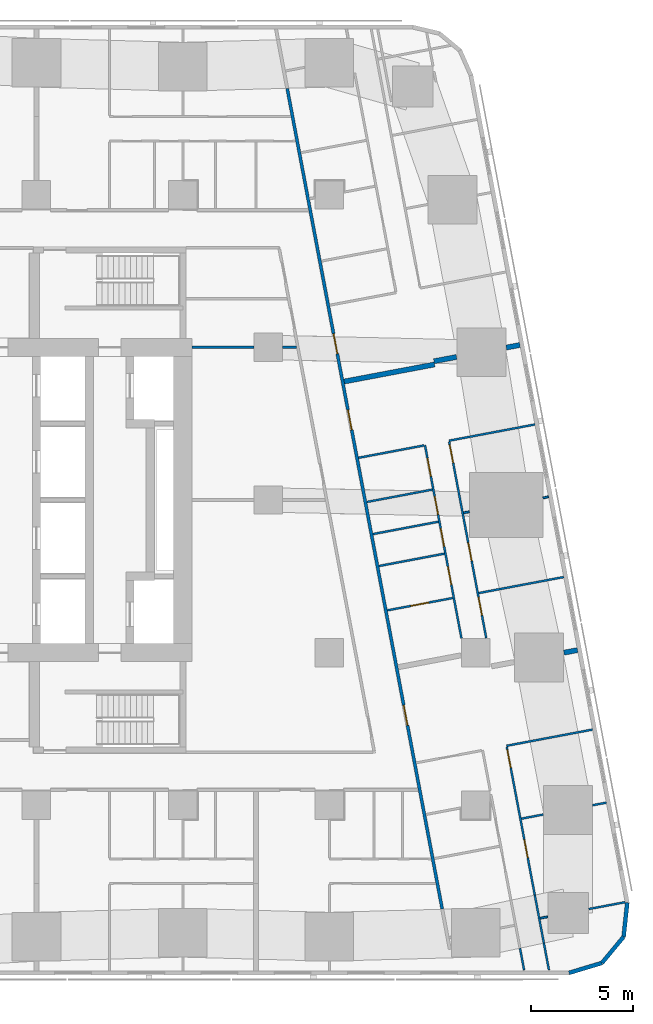
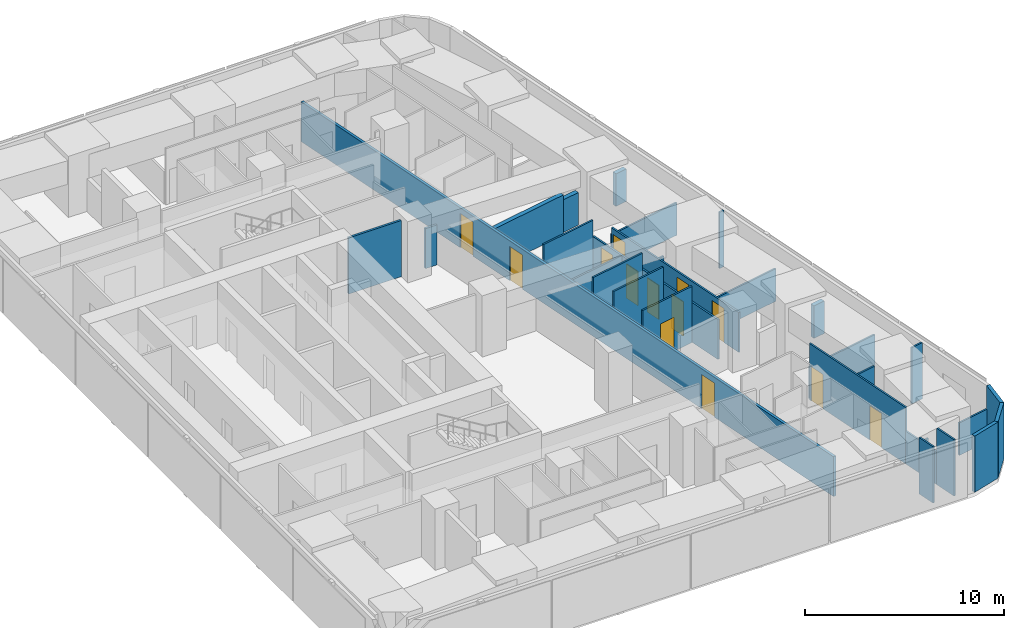
# One storey, part 5 of 10: 30 walls, 13 doors, 13 openings.
"""IFC4 building model written with IfcOpenShell, lengths in metres."""

from ifc_helpers import new_model, si_unit, direction, frame, frame_2d, origin, place, context, subcontext, project, spatial, rectangle, extrude, material, layer, layer_set, type_object, element, fill, save


model = new_model("IFC4")

# Units and contexts
model_context = context("Model", 3, precision=1e-05, world=origin(), true_north=direction((0.0, 1.0)))
body_context = subcontext(model_context, "Body", "Model", "MODEL_VIEW")
ifc_project = project(units=[si_unit("LENGTHUNIT", "METRE"), si_unit("AREAUNIT", "SQUARE_METRE"), si_unit("VOLUMEUNIT", "CUBIC_METRE"), si_unit("PLANEANGLEUNIT", "RADIAN"), si_unit("MASSUNIT", "GRAM", prefix="KILO")], contexts=[model_context])

# Site, building, storey
site_placement = place(None, origin())
site = spatial("IfcSite", under=ifc_project, at=site_placement, CompositionType="ELEMENT")
building_placement = place(site_placement, origin())
building = spatial("IfcBuilding", under=site, at=building_placement, Name="Sheger Commons Tower", CompositionType="ELEMENT")
storey_placement = place(building_placement, frame((0.0, 0.0, 242.449951171875)))
storey = spatial("IfcBuildingStorey", under=building, at=storey_placement, Name="L62", CompositionType="ELEMENT", Elevation=242.449951171875)

# Wall, openings, doors
ifc_material_1 = material(Name="Hollow concrete block masonry, skimmed both sides", Category="masonry")
ifc_layer_1 = layer(ifc_material_1, 0.14990234375)
ifc_layer_set_1 = layer_set([ifc_layer_1], Name="CORRIDOR WALL 150")
wall_type_1 = type_object("IfcWallType", Name="CORRIDOR WALL 150", PredefinedType="SOLIDWALL", material=ifc_layer_set_1)
wall_1_placement = place(storey_placement, frame((33.93310546875, 42.72998046875, 0.0), z_axis=(0.0, 0.0, 1.0), x_axis=(0.185595417643, -0.982626246825, 0.0)))
wall_1 = element("IfcWall", 1, at=wall_1_placement, inside=storey, type_object=wall_type_1, Name="Corridor wall L62", PredefinedType="SOLIDWALL", context=body_context, shape_type="SweptSolid", body=[
    extrude(rectangle(XDim=41.051025390625, YDim=0.14990234375, at=frame_2d((20.525390625, 0.0))), origin(), (0.0, 0.0, 1.0), 2.449951171875),
])
opening_1_placement = place(wall_1_placement, frame((12.26611328125, 0.0, 0.0)))
opening_1 = element("IfcOpeningElement", 2, at=opening_1_placement, cuts=wall_1, Name="Opening D1", PredefinedType="OPENING", context=body_context, shape_type="SweptSolid", body=[
    extrude(rectangle(XDim=1.0, YDim=2.10009765625, at=frame_2d((0.5, 1.050048828125))), frame((0.0, 0.0849609375, 0.0), z_axis=(0.0, -1.0, 0.0), x_axis=(1.0, 0.0, 0.0)), (0.0, 0.0, 1.0), 0.169921875),
])
opening_2_placement = place(wall_1_placement, frame((16.08203125, 0.0, 0.0)))
opening_2 = element("IfcOpeningElement", 3, at=opening_2_placement, cuts=wall_1, Name="Opening D1", PredefinedType="OPENING", context=body_context, shape_type="SweptSolid", body=[
    extrude(rectangle(XDim=1.0, YDim=2.10009765625, at=frame_2d((0.5, 1.050048828125))), frame((0.0, 0.0849609375, 0.0), z_axis=(0.0, -1.0, 0.0), x_axis=(1.0, 0.0, 0.0)), (0.0, 0.0, 1.0), 0.169921875),
])
opening_3_placement = place(wall_1_placement, frame((30.862060546875, 0.0, 0.0)))
opening_3 = element("IfcOpeningElement", 4, at=opening_3_placement, cuts=wall_1, Name="Opening D1", PredefinedType="OPENING", context=body_context, shape_type="SweptSolid", body=[
    extrude(rectangle(XDim=1.0, YDim=2.10009765625, at=frame_2d((0.5, 1.050048828125))), frame((0.0, 0.0849609375, 0.0), z_axis=(0.0, -1.0, 0.0), x_axis=(1.0, 0.0, 0.0)), (0.0, 0.0, 1.0), 0.169921875),
])
ifc_material_2 = material(Name="Steel door set, fire rated", Category="steel")
door_type_1 = type_object("IfcDoorType", Name="FLAT ENTRANCE DOOR 1000x2100", OperationType="NOTDEFINED", PredefinedType="DOOR", material=ifc_material_2)
door_1_placement = place(opening_1_placement, origin())
door_1 = element("IfcDoor", 5, at=door_1_placement, inside=storey, type_object=door_type_1, Name="Flat entrance door", OperationType="SINGLE_SWING_LEFT", OverallHeight=2.10009765625, OverallWidth=1.0, PredefinedType="DOOR", context=body_context, shape_type="SweptSolid", body=[
    extrude(rectangle(XDim=1.0, YDim=2.10009765625, at=frame_2d((0.5, 1.050048828125))), frame((0.0, 0.02490234375, 0.0), z_axis=(0.0, -1.0, 0.0), x_axis=(1.0, 0.0, 0.0)), (0.0, 0.0, 1.0), 0.050048828125),
])
fill(opening_1, door_1)
door_2_placement = place(opening_2_placement, origin())
door_2 = element("IfcDoor", 6, at=door_2_placement, inside=storey, type_object=door_type_1, Name="Flat entrance door", OperationType="SINGLE_SWING_RIGHT", OverallHeight=2.10009765625, OverallWidth=1.0, PredefinedType="DOOR", context=body_context, shape_type="SweptSolid", body=[
    extrude(rectangle(XDim=1.0, YDim=2.10009765625, at=frame_2d((0.5, 1.050048828125))), frame((0.0, 0.02490234375, 0.0), z_axis=(0.0, -1.0, 0.0), x_axis=(1.0, 0.0, 0.0)), (0.0, 0.0, 1.0), 0.050048828125),
])
fill(opening_2, door_2)
door_3_placement = place(opening_3_placement, origin())
door_3 = element("IfcDoor", 7, at=door_3_placement, inside=storey, type_object=door_type_1, Name="Flat entrance door", OperationType="SINGLE_SWING_LEFT", OverallHeight=2.10009765625, OverallWidth=1.0, PredefinedType="DOOR", context=body_context, shape_type="SweptSolid", body=[
    extrude(rectangle(XDim=1.0, YDim=2.10009765625, at=frame_2d((0.5, 1.050048828125))), frame((0.0, 0.02490234375, 0.0), z_axis=(0.0, -1.0, 0.0), x_axis=(1.0, 0.0, 0.0)), (0.0, 0.0, 1.0), 0.050048828125),
])
fill(opening_3, door_3)

# Walls
ifc_material_3 = material(Name="Dense concrete block masonry, plastered both sides (separating wall between flats)", Category="masonry")
ifc_layer_2 = layer(ifc_material_3, 0.25)
ifc_layer_set_2 = layer_set([ifc_layer_2], Name="DEMISING WALL 250")
wall_type_2 = type_object("IfcWallType", Name="DEMISING WALL 250", PredefinedType="SOLIDWALL", material=ifc_layer_set_2)
wall_2_placement = place(storey_placement, frame((45.3720703125, 30.12109375, 0.0), z_axis=(0.0, 0.0, 1.0), x_axis=(-0.982347993061, -0.187062611252, 0.0)))
element("IfcWall", 8, at=wall_2_placement, inside=storey, type_object=wall_type_2, Name="Demising wall L62", PredefinedType="SOLIDWALL", context=body_context, shape_type="SweptSolid", body=[
    extrude(rectangle(XDim=0.679931640625, YDim=0.25, at=frame_2d((0.33984375, 0.0))), origin(), (0.0, 0.0, 1.0), 2.0),
])
wall_3_placement = place(storey_placement, frame((42.256103515625, 29.531982421875, 0.0), z_axis=(0.0, 0.0, 1.0), x_axis=(-0.982549954272, -0.185998890749, 0.0)))
element("IfcWall", 9, at=wall_3_placement, inside=storey, type_object=wall_type_2, Name="Demising wall L62", PredefinedType="SOLIDWALL", context=body_context, shape_type="SweptSolid", body=[
    extrude(rectangle(XDim=1.12890625, YDim=0.25, at=frame_2d((0.564453125, 0.0))), origin(), (0.0, 0.0, 1.0), 2.0),
])
wall_4_placement = place(storey_placement, frame((41.177001953125, 29.1640625, 0.0), z_axis=(0.0, 0.0, 1.0), x_axis=(-0.982612837616, -0.185666398014, 0.0)))
element("IfcWall", 10, at=wall_4_placement, inside=storey, type_object=wall_type_2, Name="Demising wall L62", PredefinedType="SOLIDWALL", context=body_context, shape_type="SweptSolid", body=[
    extrude(rectangle(XDim=4.524658203125, YDim=0.25, at=frame_2d((2.26220703125, 0.0))), origin(), (0.0, 0.0, 1.0), 2.449951171875),
])
wall_5_placement = place(storey_placement, frame((48.2060546875, 15.1201171875, 0.0), z_axis=(0.0, 0.0, 1.0), x_axis=(-0.982610999048, -0.18567612811, 0.0)))
element("IfcWall", 11, at=wall_5_placement, inside=storey, type_object=wall_type_2, Name="Demising wall L62", PredefinedType="SOLIDWALL", context=body_context, shape_type="SweptSolid", body=[
    extrude(rectangle(XDim=0.6796875, YDim=0.25, at=frame_2d((0.33984375, 0.0))), origin(), (0.0, 0.0, 1.0), 2.0),
])
ifc_material_4 = material(Name="Rendered concrete block masonry, dark grey", Category="masonry")
ifc_layer_3 = layer(ifc_material_4, 0.199951171875)
ifc_layer_set_3 = layer_set([ifc_layer_3], Name="FACADE WALL 200")
wall_type_3 = type_object("IfcWallType", Name="FACADE WALL 200", PredefinedType="SOLIDWALL", material=ifc_layer_set_3)
wall_6_placement = place(storey_placement, frame((47.791015625, -0.75, 0.0), z_axis=(0.0, 0.0, 1.0), x_axis=(0.957455232626, 0.288581838509, 0.0)))
element("IfcWall", 12, at=wall_6_placement, inside=storey, type_object=wall_type_3, Name="Facade wall L62", PredefinedType="SOLIDWALL", context=body_context, shape_type="SweptSolid", body=[
    extrude(rectangle(XDim=1.687744140625, YDim=0.199951171875, at=frame_2d((0.84375, 0.0))), origin(), (0.0, 0.0, 1.0), 3.449951171875),
])
wall_7_placement = place(storey_placement, frame((49.406982421875, -0.262939453125, 0.0), z_axis=(0.0, 0.0, 1.0), x_axis=(0.638042593423, 0.770001070764, 0.0)))
element("IfcWall", 13, at=wall_7_placement, inside=storey, type_object=wall_type_3, Name="Facade wall L62", PredefinedType="SOLIDWALL", context=body_context, shape_type="SweptSolid", body=[
    extrude(rectangle(XDim=1.672607421875, YDim=0.199951171875, at=frame_2d((0.83642578125, 0.0))), origin(), (0.0, 0.0, 1.0), 3.449951171875),
])
wall_8_placement = place(storey_placement, frame((50.47412109375, 1.02490234375, 0.0), z_axis=(0.0, 0.0, 1.0), x_axis=(0.106047815515, 0.994361031429, 0.0)))
element("IfcWall", 14, at=wall_8_placement, inside=storey, type_object=wall_type_3, Name="Facade wall L62", PredefinedType="SOLIDWALL", context=body_context, shape_type="SweptSolid", body=[
    extrude(rectangle(XDim=1.6875, YDim=0.199951171875, at=frame_2d((0.84375, 0.0))), origin(), (0.0, 0.0, 1.0), 3.449951171875),
])

# Wall, openings, doors
ifc_material_5 = material(Name="Gypsum board on steel studs", Category="steel")
ifc_layer_4 = layer(ifc_material_5, 0.10009765625)
ifc_layer_set_4 = layer_set([ifc_layer_4], Name="PARTITION 100")
wall_type_4 = type_object("IfcWallType", Name="PARTITION 100", PredefinedType="PARTITIONING", material=ifc_layer_set_4)
wall_9_placement = place(storey_placement, frame((41.89404296875, 25.365966796875, 0.0), z_axis=(0.0, 0.0, 1.0), x_axis=(0.185612905165, -0.982622943675, 0.0)))
wall_9 = element("IfcWall", 15, at=wall_9_placement, inside=storey, type_object=wall_type_4, Name="Partition L62", PredefinedType="PARTITIONING", context=body_context, shape_type="SweptSolid", body=[
    extrude(rectangle(XDim=9.82666015625, YDim=0.10009765625, at=frame_2d((4.913330078125, 0.0))), origin(), (0.0, 0.0, 1.0), 2.449951171875),
])
opening_4_placement = place(wall_9_placement, frame((0.15087890625, 0.0, 0.0)))
opening_4 = element("IfcOpeningElement", 16, at=opening_4_placement, cuts=wall_9, Name="Opening D2", PredefinedType="OPENING", context=body_context, shape_type="SweptSolid", body=[
    extrude(rectangle(XDim=0.89990234375, YDim=2.10009765625, at=frame_2d((0.449951171875, 1.050048828125))), frame((0.0, 0.06005859375, 0.0), z_axis=(0.0, -1.0, 0.0), x_axis=(1.0, 0.0, 0.0)), (0.0, 0.0, 1.0), 0.1201171875),
])
opening_5_placement = place(wall_9_placement, frame((5.050048828125, 0.0, 0.0)))
opening_5 = element("IfcOpeningElement", 17, at=opening_5_placement, cuts=wall_9, Name="Opening D2", PredefinedType="OPENING", context=body_context, shape_type="SweptSolid", body=[
    extrude(rectangle(XDim=0.89990234375, YDim=2.10009765625, at=frame_2d((0.449951171875, 1.050048828125))), frame((0.0, 0.06005859375, 0.0), z_axis=(0.0, -1.0, 0.0), x_axis=(1.0, 0.0, 0.0)), (0.0, 0.0, 1.0), 0.1201171875),
])
opening_6_placement = place(wall_9_placement, frame((7.782958984375, 0.0, 0.0)))
opening_6 = element("IfcOpeningElement", 18, at=opening_6_placement, cuts=wall_9, Name="Opening D2", PredefinedType="OPENING", context=body_context, shape_type="SweptSolid", body=[
    extrude(rectangle(XDim=0.89990234375, YDim=2.10009765625, at=frame_2d((0.449951171875, 1.050048828125))), frame((0.0, 0.06005859375, 0.0), z_axis=(0.0, -1.0, 0.0), x_axis=(1.0, 0.0, 0.0)), (0.0, 0.0, 1.0), 0.1201171875),
])
ifc_material_6 = material(Name="Timber door set", Category="wood")
door_type_2 = type_object("IfcDoorType", Name="INTERNAL DOOR 900x2100", OperationType="NOTDEFINED", PredefinedType="DOOR", material=ifc_material_6)
door_4_placement = place(opening_4_placement, origin())
door_4 = element("IfcDoor", 19, at=door_4_placement, inside=storey, type_object=door_type_2, Name="Main bedroom door", OperationType="SINGLE_SWING_LEFT", OverallHeight=2.10009765625, OverallWidth=0.89990234375, PredefinedType="DOOR", context=body_context, shape_type="SweptSolid", body=[
    extrude(rectangle(XDim=0.89990234375, YDim=2.10009765625, at=frame_2d((0.449951171875, 1.050048828125))), frame((0.0, 0.02490234375, 0.0), z_axis=(0.0, -1.0, 0.0), x_axis=(1.0, 0.0, 0.0)), (0.0, 0.0, 1.0), 0.050048828125),
])
fill(opening_4, door_4)
door_5_placement = place(opening_5_placement, origin())
door_5 = element("IfcDoor", 20, at=door_5_placement, inside=storey, type_object=door_type_2, Name="Bedroom 2 door", OperationType="SINGLE_SWING_LEFT", OverallHeight=2.10009765625, OverallWidth=0.89990234375, PredefinedType="DOOR", context=body_context, shape_type="SweptSolid", body=[
    extrude(rectangle(XDim=0.89990234375, YDim=2.10009765625, at=frame_2d((0.449951171875, 1.050048828125))), frame((0.0, 0.02490234375, 0.0), z_axis=(0.0, -1.0, 0.0), x_axis=(1.0, 0.0, 0.0)), (0.0, 0.0, 1.0), 0.050048828125),
])
fill(opening_5, door_5)
door_6_placement = place(opening_6_placement, origin())
door_6 = element("IfcDoor", 21, at=door_6_placement, inside=storey, type_object=door_type_2, Name="Bedroom 3 door", OperationType="SINGLE_SWING_LEFT", OverallHeight=2.10009765625, OverallWidth=0.89990234375, PredefinedType="DOOR", context=body_context, shape_type="SweptSolid", body=[
    extrude(rectangle(XDim=0.89990234375, YDim=2.10009765625, at=frame_2d((0.449951171875, 1.050048828125))), frame((0.0, 0.02490234375, 0.0), z_axis=(0.0, -1.0, 0.0), x_axis=(1.0, 0.0, 0.0)), (0.0, 0.0, 1.0), 0.050048828125),
])
fill(opening_6, door_6)

wall_10_placement = place(storey_placement, frame((40.7060546875, 25.19189453125, 0.0), z_axis=(0.0, 0.0, 1.0), x_axis=(0.185629824463, -0.982619747547, 0.0)))
wall_10 = element("IfcWall", 22, at=wall_10_placement, inside=storey, type_object=wall_type_4, Name="Partition L62", PredefinedType="PARTITIONING", context=body_context, shape_type="SweptSolid", body=[
    extrude(rectangle(XDim=9.658935546875, YDim=0.10009765625, at=frame_2d((4.82958984375, 0.0))), origin(), (0.0, 0.0, 1.0), 2.449951171875),
])
opening_7_placement = place(wall_10_placement, frame((0.655029296875, 0.0, 0.0)))
opening_7 = element("IfcOpeningElement", 23, at=opening_7_placement, cuts=wall_10, Name="Opening D2", PredefinedType="OPENING", context=body_context, shape_type="SweptSolid", body=[
    extrude(rectangle(XDim=0.89990234375, YDim=2.10009765625, at=frame_2d((0.449951171875, 1.050048828125))), frame((0.0, 0.06005859375, 0.0), z_axis=(0.0, -1.0, 0.0), x_axis=(1.0, 0.0, 0.0)), (0.0, 0.0, 1.0), 0.1201171875),
])
opening_8_placement = place(wall_10_placement, frame((4.166015625, 0.0, 0.0)))
opening_8 = element("IfcOpeningElement", 24, at=opening_8_placement, cuts=wall_10, Name="Opening D2", PredefinedType="OPENING", context=body_context, shape_type="SweptSolid", body=[
    extrude(rectangle(XDim=0.89990234375, YDim=2.10009765625, at=frame_2d((0.449951171875, 1.050048828125))), frame((0.0, 0.06005859375, 0.0), z_axis=(0.0, -1.0, 0.0), x_axis=(1.0, 0.0, 0.0)), (0.0, 0.0, 1.0), 0.1201171875),
])
opening_9_placement = place(wall_10_placement, frame((2.56298828125, 0.0, 0.0)))
opening_9 = element("IfcOpeningElement", 25, at=opening_9_placement, cuts=wall_10, Name="Opening D2", PredefinedType="OPENING", context=body_context, shape_type="SweptSolid", body=[
    extrude(rectangle(XDim=0.89990234375, YDim=2.10009765625, at=frame_2d((0.449951171875, 1.050048828125))), frame((0.0, 0.06005859375, 0.0), z_axis=(0.0, -1.0, 0.0), x_axis=(1.0, 0.0, 0.0)), (0.0, 0.0, 1.0), 0.1201171875),
])
opening_10_placement = place(wall_10_placement, frame((6.073974609375, 0.0, 0.0)))
opening_10 = element("IfcOpeningElement", 26, at=opening_10_placement, cuts=wall_10, Name="Opening D2", PredefinedType="OPENING", context=body_context, shape_type="SweptSolid", body=[
    extrude(rectangle(XDim=0.89990234375, YDim=2.10009765625, at=frame_2d((0.449951171875, 1.050048828125))), frame((0.0, 0.06005859375, 0.0), z_axis=(0.0, -1.0, 0.0), x_axis=(1.0, 0.0, 0.0)), (0.0, 0.0, 1.0), 0.1201171875),
])
door_7_placement = place(opening_7_placement, origin())
door_7 = element("IfcDoor", 27, at=door_7_placement, inside=storey, type_object=door_type_2, Name="Bathroom door", OperationType="SINGLE_SWING_RIGHT", OverallHeight=2.10009765625, OverallWidth=0.89990234375, PredefinedType="DOOR", context=body_context, shape_type="SweptSolid", body=[
    extrude(rectangle(XDim=0.89990234375, YDim=2.10009765625, at=frame_2d((0.449951171875, 1.050048828125))), frame((0.0, 0.02490234375, 0.0), z_axis=(0.0, -1.0, 0.0), x_axis=(1.0, 0.0, 0.0)), (0.0, 0.0, 1.0), 0.050048828125),
])
fill(opening_7, door_7)
door_8_placement = place(opening_8_placement, origin())
door_8 = element("IfcDoor", 28, at=door_8_placement, inside=storey, type_object=door_type_2, Name="Shower room door", OperationType="SINGLE_SWING_RIGHT", OverallHeight=2.10009765625, OverallWidth=0.89990234375, PredefinedType="DOOR", context=body_context, shape_type="SweptSolid", body=[
    extrude(rectangle(XDim=0.89990234375, YDim=2.10009765625, at=frame_2d((0.449951171875, 1.050048828125))), frame((0.0, 0.02490234375, 0.0), z_axis=(0.0, -1.0, 0.0), x_axis=(1.0, 0.0, 0.0)), (0.0, 0.0, 1.0), 0.050048828125),
])
fill(opening_8, door_8)
door_9_placement = place(opening_9_placement, origin())
door_9 = element("IfcDoor", 29, at=door_9_placement, inside=storey, type_object=door_type_2, Name="Store door", OperationType="SINGLE_SWING_RIGHT", OverallHeight=2.10009765625, OverallWidth=0.89990234375, PredefinedType="DOOR", context=body_context, shape_type="SweptSolid", body=[
    extrude(rectangle(XDim=0.89990234375, YDim=2.10009765625, at=frame_2d((0.449951171875, 1.050048828125))), frame((0.0, 0.02490234375, 0.0), z_axis=(0.0, -1.0, 0.0), x_axis=(1.0, 0.0, 0.0)), (0.0, 0.0, 1.0), 0.050048828125),
])
fill(opening_9, door_9)
door_10_placement = place(opening_10_placement, origin())
door_10 = element("IfcDoor", 30, at=door_10_placement, inside=storey, type_object=door_type_2, Name="Store door", OperationType="SINGLE_SWING_LEFT", OverallHeight=2.10009765625, OverallWidth=0.89990234375, PredefinedType="DOOR", context=body_context, shape_type="SweptSolid", body=[
    extrude(rectangle(XDim=0.89990234375, YDim=2.10009765625, at=frame_2d((0.449951171875, 1.050048828125))), frame((0.0, 0.02490234375, 0.0), z_axis=(0.0, -1.0, 0.0), x_axis=(1.0, 0.0, 0.0)), (0.0, 0.0, 1.0), 0.050048828125),
])
fill(opening_10, door_10)

# Walls
wall_11_placement = place(storey_placement, frame((46.110107421875, 26.212890625, 0.0), z_axis=(0.0, 0.0, 1.0), x_axis=(-0.982633535512, -0.185556823879, 0.0)))
element("IfcWall", 31, at=wall_11_placement, inside=storey, type_object=wall_type_4, Name="Partition L62", PredefinedType="PARTITIONING", context=body_context, shape_type="SweptSolid", body=[
    extrude(rectangle(XDim=4.2998046875, YDim=0.10009765625, at=frame_2d((2.14990234375, 0.0))), origin(), (0.0, 0.0, 1.0), 2.0),
])
wall_12_placement = place(storey_placement, frame((46.781982421875, 22.656982421875, 0.0), z_axis=(0.0, 0.0, 1.0), x_axis=(-0.982574553168, -0.185868898601, 0.0)))
element("IfcWall", 32, at=wall_12_placement, inside=storey, type_object=wall_type_4, Name="Partition L62", PredefinedType="PARTITIONING", context=body_context, shape_type="SweptSolid", body=[
    extrude(rectangle(XDim=0.27978515625, YDim=0.10009765625, at=frame_2d((0.139892578125, 0.0))), origin(), (0.0, 0.0, 1.0), 3.449951171875),
])
wall_13_placement = place(storey_placement, frame((42.886962890625, 21.9208984375, 0.0), z_axis=(0.0, 0.0, 1.0), x_axis=(-0.982688058078, -0.185267861514, 0.0)))
element("IfcWall", 33, at=wall_13_placement, inside=storey, type_object=wall_type_4, Name="Partition L62", PredefinedType="PARTITIONING", context=body_context, shape_type="SweptSolid", body=[
    extrude(rectangle(XDim=0.285888671875, YDim=0.10009765625, at=frame_2d((0.14306640625, 0.0))), origin(), (0.0, 0.0, 1.0), 2.449951171875),
])
wall_14_placement = place(storey_placement, frame((47.527099609375, 18.7119140625, 0.0), z_axis=(0.0, 0.0, 1.0), x_axis=(-0.982665405803, -0.185387972203, 0.0)))
element("IfcWall", 34, at=wall_14_placement, inside=storey, type_object=wall_type_4, Name="Partition L62", PredefinedType="PARTITIONING", context=body_context, shape_type="SweptSolid", body=[
    extrude(rectangle(XDim=4.249755859375, YDim=0.10009765625, at=frame_2d((2.125, 0.0))), origin(), (0.0, 0.0, 1.0), 2.0),
])
for number, where, z_axis, x_axis, name in (
    (35, (40.656982421875, 25.18310546875, 0.0), (0.0, 0.0, 1.0), (-0.982607026909, -0.185697147715, 0.0), "Partition L62"),
    (36, (41.364990234375, 21.43310546875, 0.0), (0.0, 0.0, 1.0), (-0.982607026909, -0.185697147715, 0.0), "Partition L62"),
):
    element("IfcWall", number, at=place(storey_placement, frame(where, z_axis=z_axis, x_axis=x_axis)), inside=storey, type_object=wall_type_4, Name=name, PredefinedType="PARTITIONING", context=body_context, shape_type="SweptSolid", body=[
        extrude(rectangle(XDim=3.27490234375, YDim=0.10009765625, at=frame_2d((1.637451171875, 0.0))), origin(), (0.0, 0.0, 1.0), 3.449951171875),
    ])

# Wall, opening, door
wall_15_placement = place(storey_placement, frame((42.072998046875, 17.681884765625, 0.0), z_axis=(0.0, 0.0, 1.0), x_axis=(-0.982620626894, -0.185625169636, 0.0)))
wall_15 = element("IfcWall", 37, at=wall_15_placement, inside=storey, type_object=wall_type_4, Name="Partition L62", PredefinedType="PARTITIONING", context=body_context, shape_type="SweptSolid", body=[
    extrude(rectangle(XDim=3.27490234375, YDim=0.10009765625, at=frame_2d((1.637451171875, 0.0))), origin(), (0.0, 0.0, 1.0), 3.449951171875),
])
opening_11_placement = place(wall_15_placement, frame((1.199951171875, 0.0, 0.0)))
opening_11 = element("IfcOpeningElement", 38, at=opening_11_placement, cuts=wall_15, Name="Opening D2", PredefinedType="OPENING", context=body_context, shape_type="SweptSolid", body=[
    extrude(rectangle(XDim=0.89990234375, YDim=2.10009765625, at=frame_2d((0.449951171875, 1.050048828125))), frame((0.0, 0.06005859375, 0.0), z_axis=(0.0, -1.0, 0.0), x_axis=(1.0, 0.0, 0.0)), (0.0, 0.0, 1.0), 0.1201171875),
])
door_11_placement = place(opening_11_placement, origin())
door_11 = element("IfcDoor", 39, at=door_11_placement, inside=storey, type_object=door_type_2, Name="Store door", OperationType="SINGLE_SWING_RIGHT", OverallHeight=2.10009765625, OverallWidth=0.89990234375, PredefinedType="DOOR", context=body_context, shape_type="SweptSolid", body=[
    extrude(rectangle(XDim=0.89990234375, YDim=2.10009765625, at=frame_2d((0.449951171875, 1.050048828125))), frame((0.0, 0.02490234375, 0.0), z_axis=(0.0, -1.0, 0.0), x_axis=(1.0, 0.0, 0.0)), (0.0, 0.0, 1.0), 0.050048828125),
])
fill(opening_11, door_11)

# Walls
wall_16_placement = place(storey_placement, frame((41.06689453125, 23.010986328125, 0.0), z_axis=(0.0, 0.0, 1.0), x_axis=(-0.982618057925, -0.185638768151, 0.0)))
element("IfcWall", 40, at=wall_16_placement, inside=storey, type_object=wall_type_4, Name="Partition L62", PredefinedType="PARTITIONING", context=body_context, shape_type="SweptSolid", body=[
    extrude(rectangle(XDim=3.274658203125, YDim=0.10009765625, at=frame_2d((1.63720703125, 0.0))), origin(), (0.0, 0.0, 1.0), 2.449951171875),
])
wall_17_placement = place(storey_placement, frame((41.662109375, 19.861083984375, 0.0), z_axis=(0.0, 0.0, 1.0), x_axis=(-0.982607026909, -0.185697147715, 0.0)))
element("IfcWall", 41, at=wall_17_placement, inside=storey, type_object=wall_type_4, Name="Partition L62", PredefinedType="PARTITIONING", context=body_context, shape_type="SweptSolid", body=[
    extrude(rectangle(XDim=3.27490234375, YDim=0.10009765625, at=frame_2d((1.637451171875, 0.0))), origin(), (0.0, 0.0, 1.0), 3.449951171875),
])

# Wall, openings, doors
wall_18_placement = place(storey_placement, frame((44.72705078125, 10.365966796875, 0.0), z_axis=(0.0, 0.0, 1.0), x_axis=(0.185678775129, -0.982610498858, 0.0)))
wall_18 = element("IfcWall", 42, at=wall_18_placement, inside=storey, type_object=wall_type_4, Name="Partition L62", PredefinedType="PARTITIONING", context=body_context, shape_type="SweptSolid", body=[
    extrude(rectangle(XDim=7.421142578125, YDim=0.10009765625, at=frame_2d((3.71044921875, 0.0))), origin(), (0.0, 0.0, 1.0), 3.449951171875),
])
opening_12_placement = place(wall_18_placement, frame((0.15087890625, 0.0, 0.0)))
opening_12 = element("IfcOpeningElement", 43, at=opening_12_placement, cuts=wall_18, Name="Opening D2", PredefinedType="OPENING", context=body_context, shape_type="SweptSolid", body=[
    extrude(rectangle(XDim=0.89990234375, YDim=2.10009765625, at=frame_2d((0.449951171875, 1.050048828125))), frame((0.0, 0.06005859375, 0.0), z_axis=(0.0, -1.0, 0.0), x_axis=(1.0, 0.0, 0.0)), (0.0, 0.0, 1.0), 0.1201171875),
])
opening_13_placement = place(wall_18_placement, frame((4.64990234375, 0.0, 0.0)))
opening_13 = element("IfcOpeningElement", 44, at=opening_13_placement, cuts=wall_18, Name="Opening D2", PredefinedType="OPENING", context=body_context, shape_type="SweptSolid", body=[
    extrude(rectangle(XDim=0.89990234375, YDim=2.10009765625, at=frame_2d((0.449951171875, 1.050048828125))), frame((0.0, 0.06005859375, 0.0), z_axis=(0.0, -1.0, 0.0), x_axis=(1.0, 0.0, 0.0)), (0.0, 0.0, 1.0), 0.1201171875),
])
door_12_placement = place(opening_12_placement, origin())
door_12 = element("IfcDoor", 45, at=door_12_placement, inside=storey, type_object=door_type_2, Name="Main bedroom door", OperationType="SINGLE_SWING_LEFT", OverallHeight=2.10009765625, OverallWidth=0.89990234375, PredefinedType="DOOR", context=body_context, shape_type="SweptSolid", body=[
    extrude(rectangle(XDim=0.89990234375, YDim=2.10009765625, at=frame_2d((0.449951171875, 1.050048828125))), frame((0.0, 0.02490234375, 0.0), z_axis=(0.0, -1.0, 0.0), x_axis=(1.0, 0.0, 0.0)), (0.0, 0.0, 1.0), 0.050048828125),
])
fill(opening_12, door_12)
door_13_placement = place(opening_13_placement, origin())
door_13 = element("IfcDoor", 46, at=door_13_placement, inside=storey, type_object=door_type_2, Name="Bedroom 2 door", OperationType="SINGLE_SWING_LEFT", OverallHeight=2.10009765625, OverallWidth=0.89990234375, PredefinedType="DOOR", context=body_context, shape_type="SweptSolid", body=[
    extrude(rectangle(XDim=0.89990234375, YDim=2.10009765625, at=frame_2d((0.449951171875, 1.050048828125))), frame((0.0, 0.02490234375, 0.0), z_axis=(0.0, -1.0, 0.0), x_axis=(1.0, 0.0, 0.0)), (0.0, 0.0, 1.0), 0.050048828125),
])
fill(opening_13, door_13)

# Walls
wall_19_placement = place(storey_placement, frame((46.10498046875, 3.073974609375, 0.0), z_axis=(0.0, 0.0, 1.0), x_axis=(0.185631845838, -0.982619365681, 0.0)))
element("IfcWall", 47, at=wall_19_placement, inside=storey, type_object=wall_type_4, Name="Partition L62", PredefinedType="PARTITIONING", context=body_context, shape_type="SweptSolid", body=[
    extrude(rectangle(XDim=2.40283203125, YDim=0.10009765625, at=frame_2d((1.201416015625, 0.0))), origin(), (0.0, 0.0, 1.0), 2.0),
])
wall_20_placement = place(storey_placement, frame((46.551025390625, 0.712890625, 0.0), z_axis=(0.0, 0.0, 1.0), x_axis=(0.185407859198, -0.982661653748, 0.0)))
element("IfcWall", 48, at=wall_20_placement, inside=storey, type_object=wall_type_4, Name="Partition L62", PredefinedType="PARTITIONING", context=body_context, shape_type="SweptSolid", body=[
    extrude(rectangle(XDim=1.343017578125, YDim=0.10009765625, at=frame_2d((0.67138671875, 0.0))), origin(), (0.0, 0.0, 1.0), 3.449951171875),
])
wall_21_placement = place(storey_placement, frame((45.376953125, 0.4619140625, 0.0), z_axis=(0.0, 0.0, 1.0), x_axis=(0.185513480919, -0.982641719243, 0.0)))
element("IfcWall", 49, at=wall_21_placement, inside=storey, type_object=wall_type_4, Name="Partition L62", PredefinedType="PARTITIONING", context=body_context, shape_type="SweptSolid", body=[
    extrude(rectangle(XDim=1.094970703125, YDim=0.10009765625, at=frame_2d((0.54736328125, 0.0))), origin(), (0.0, 0.0, 1.0), 3.449951171875),
])
wall_22_placement = place(storey_placement, frame((48.943115234375, 11.212890625, 0.0), z_axis=(0.0, 0.0, 1.0), x_axis=(-0.982633535512, -0.185556823879, 0.0)))
element("IfcWall", 50, at=wall_22_placement, inside=storey, type_object=wall_type_4, Name="Partition L62", PredefinedType="PARTITIONING", context=body_context, shape_type="SweptSolid", body=[
    extrude(rectangle(XDim=4.2998046875, YDim=0.10009765625, at=frame_2d((2.14990234375, 0.0))), origin(), (0.0, 0.0, 1.0), 2.0),
])
wall_23_placement = place(storey_placement, frame((49.6220703125, 7.6201171875, 0.0), z_axis=(0.0, 0.0, 1.0), x_axis=(-0.98254419619, -0.186029305578, 0.0)))
element("IfcWall", 51, at=wall_23_placement, inside=storey, type_object=wall_type_4, Name="Partition L62", PredefinedType="PARTITIONING", context=body_context, shape_type="SweptSolid", body=[
    extrude(rectangle(XDim=0.6943359375, YDim=0.10009765625, at=frame_2d((0.34716796875, 0.0))), origin(), (0.0, 0.0, 1.0), 3.449951171875),
])
wall_24_placement = place(storey_placement, frame((46.52001953125, 7.034912109375, 0.0), z_axis=(0.0, 0.0, 1.0), x_axis=(-0.982620932907, -0.185623549726, 0.0)))
element("IfcWall", 52, at=wall_24_placement, inside=storey, type_object=wall_type_4, Name="Partition L62", PredefinedType="PARTITIONING", context=body_context, shape_type="SweptSolid", body=[
    extrude(rectangle(XDim=1.093017578125, YDim=0.10009765625, at=frame_2d((0.54638671875, 0.0))), origin(), (0.0, 0.0, 1.0), 3.449951171875),
])
wall_25_placement = place(storey_placement, frame((50.547119140625, 2.72607421875, 0.0), z_axis=(0.0, 0.0, 1.0), x_axis=(-0.982603988143, -0.185713226471, 0.0)))
element("IfcWall", 53, at=wall_25_placement, inside=storey, type_object=wall_type_4, Name="Partition L62", PredefinedType="PARTITIONING", context=body_context, shape_type="SweptSolid", body=[
    extrude(rectangle(XDim=1.82080078125, YDim=0.10009765625, at=frame_2d((0.910400390625, 0.0))), origin(), (0.0, 0.0, 1.0), 2.0),
])
wall_26_placement = place(storey_placement, frame((46.738037109375, 2.006103515625, 0.0), z_axis=(0.0, 0.0, 1.0), x_axis=(-0.982820466874, -0.184564161994, 0.0)))
element("IfcWall", 54, at=wall_26_placement, inside=storey, type_object=wall_type_4, Name="Partition L62", PredefinedType="PARTITIONING", context=body_context, shape_type="SweptSolid", body=[
    extrude(rectangle(XDim=0.374267578125, YDim=0.10009765625, at=frame_2d((0.18701171875, 0.0))), origin(), (0.0, 0.0, 1.0), 2.0),
])
ifc_material_7 = material(Name="Gypsum board on steel studs, two layers each side, fire rated", Category="steel")
ifc_layer_5 = layer(ifc_material_7, 0.125)
ifc_layer_set_5 = layer_set([ifc_layer_5], Name="SERVICE WALL 125")
wall_type_5 = type_object("IfcWallType", Name="SERVICE WALL 125", PredefinedType="PARTITIONING", material=ifc_layer_set_5)
wall_27_placement = place(storey_placement, frame((29.25, 30.0, 0.0), z_axis=(0.0, 0.0, 1.0), x_axis=(1.0, 0.0, 0.0)))
element("IfcWall", 55, at=wall_27_placement, inside=storey, type_object=wall_type_5, Name="Service room wall L62", PredefinedType="PARTITIONING", context=body_context, shape_type="SweptSolid", body=[
    extrude(rectangle(XDim=3.049072265625, YDim=0.125, at=frame_2d((1.5244140625, 0.0))), origin(), (0.0, 0.0, 1.0), 3.449951171875),
])
wall_28_placement = place(storey_placement, frame((33.700927734375, 30.0, 0.0), z_axis=(0.0, 0.0, 1.0), x_axis=(1.0, 0.0, 0.0)))
element("IfcWall", 56, at=wall_28_placement, inside=storey, type_object=wall_type_5, Name="Service room wall L62", PredefinedType="PARTITIONING", context=body_context, shape_type="SweptSolid", body=[
    extrude(rectangle(XDim=0.677978515625, YDim=0.125, at=frame_2d((0.3388671875, 0.0))), origin(), (0.0, 0.0, 1.0), 2.449951171875),
])

save(model, "model.ifc")
